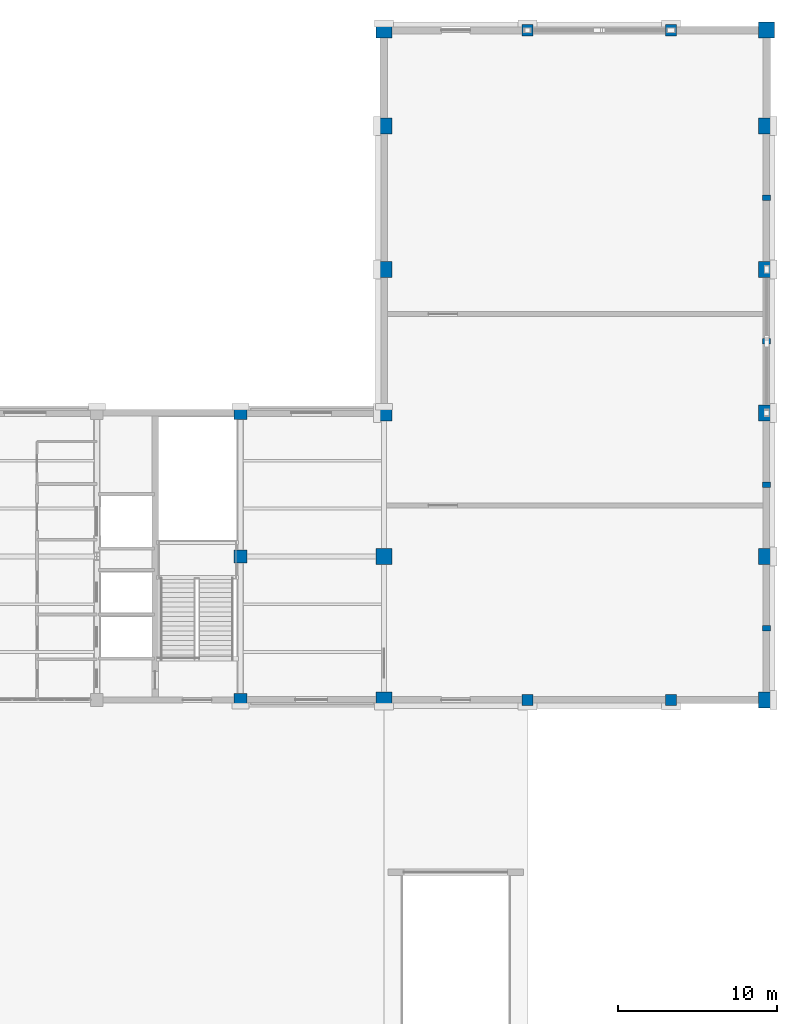
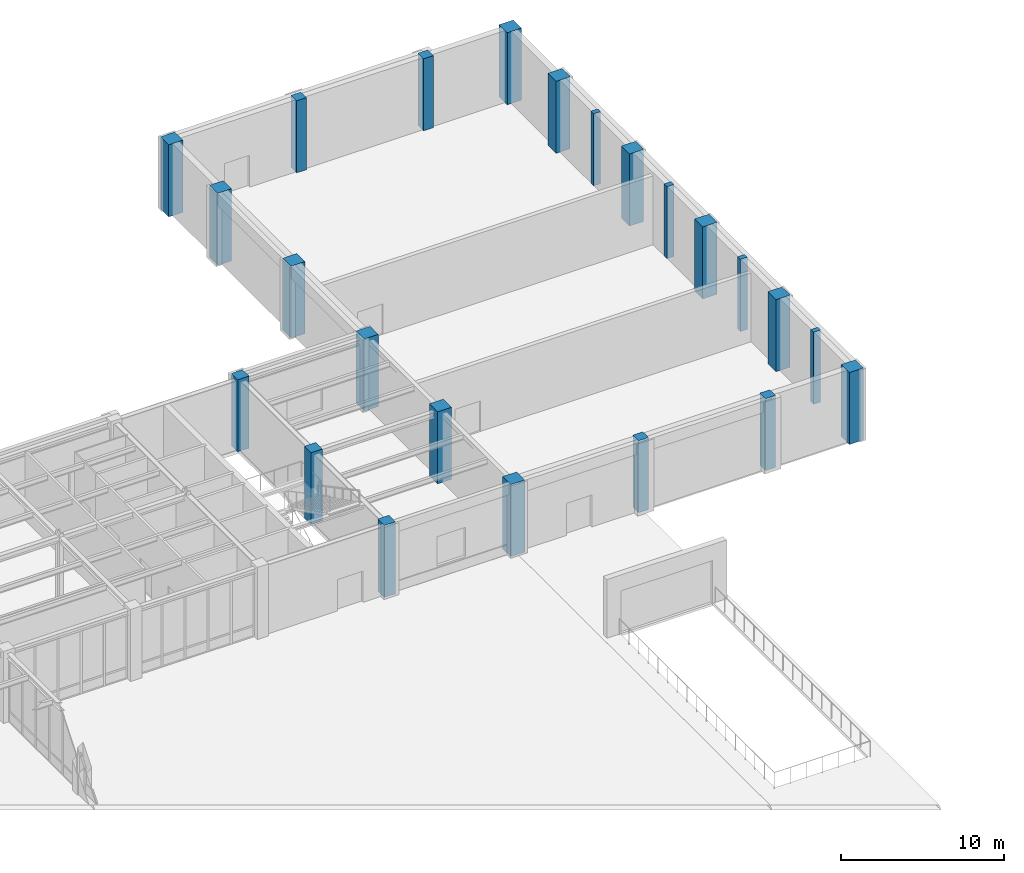
# One storey, part 14 of 77: 23 columns.
"""IFC4 building model written with IfcOpenShell, lengths in metres."""

from ifc_helpers import new_model, si_unit, direction, frame, origin, origin_2d, place, context, subcontext, project, spatial, rectangle, extrude, material, material_profile, profile_set, type_object, element, save


model = new_model("IFC4")

# Units and contexts
model_context = context("Model", 3, precision=1e-05, world=origin(), true_north=direction((0.0, 1.0)))
body_context = subcontext(model_context, "Body", "Model", "MODEL_VIEW")
ifc_project = project(units=[si_unit("LENGTHUNIT", "METRE"), si_unit("AREAUNIT", "SQUARE_METRE"), si_unit("VOLUMEUNIT", "CUBIC_METRE"), si_unit("PLANEANGLEUNIT", "RADIAN"), si_unit("MASSUNIT", "GRAM", prefix="KILO")], contexts=[model_context])

# Site, building, storey
site_placement = place(None, origin())
site = spatial("IfcSite", under=ifc_project, at=site_placement, CompositionType="ELEMENT")
building_placement = place(site_placement, origin())
building = spatial("IfcBuilding", under=site, at=building_placement, Name="Lykobir Media Centre", CompositionType="ELEMENT")
storey_placement = place(building_placement, origin())
storey = spatial("IfcBuildingStorey", under=building, at=storey_placement, Name="L00", CompositionType="ELEMENT", Elevation=0.0)

# Columns
ifc_material_1 = material(Name="Honed Travertine Stone", Category="masonry")
ifc_material_profile_1 = material_profile(ifc_material_1, rectangle(XDim=0.35009765625, YDim=0.5, at=origin_2d()), Name="RC PILASTER 500x350")
ifc_profile_set_1 = profile_set([ifc_material_profile_1], Name="Honed Travertine Stone")
column_type_1 = type_object("IfcColumnType", Name="PIL-500", PredefinedType="PILASTER", material=ifc_profile_set_1)
for number, where, z_axis, x_axis, name in (
    (1, (168.0, 76.5, 0.0), (0.0, 0.0, 1.0), (0.0, 1.0, 0.0), "V2 east pilaster L00 76.5"),
    (2, (168.0, 85.5, 0.0), (0.0, 0.0, 1.0), (0.0, 1.0, 0.0), "V2 east pilaster L00 85.5"),
    (3, (168.0, 94.5, 0.0), (0.0, 0.0, 1.0), (0.0, 1.0, 0.0), "V2 east pilaster L00 94.5"),
    (4, (168.0, 103.5, 0.0), (0.0, 0.0, 1.0), (0.0, 1.0, 0.0), "V2 east pilaster L00 103.5"),
):
    element("IfcColumn", number, at=place(storey_placement, frame(where, z_axis=z_axis, x_axis=x_axis)), inside=storey, type_object=column_type_1, Name=name, PredefinedType="PILASTER", context=body_context, shape_type="SweptSolid", body=[
        extrude(rectangle(XDim=0.35009765625, YDim=0.5, at=origin_2d()), origin(), (0.0, 0.0, 1.0), 5.39990234375),
    ])
ifc_material_2 = material(Name="Concrete C40/50", Category="concrete")
ifc_material_profile_2 = material_profile(ifc_material_2, rectangle(XDim=1.0, YDim=1.0, at=origin_2d()), Name="RC 1000x1000")
ifc_profile_set_2 = profile_set([ifc_material_profile_2], Name="Concrete C40/50")
column_type_2 = type_object("IfcColumnType", Name="RC-C1000", PredefinedType="COLUMN", material=ifc_profile_set_2)
for number, where, z_axis, x_axis, name in (
    (5, (144.0, 72.0, 0.0), (0.0, 0.0, 1.0), (1.0, 0.0, 0.0), "Column COL-L00-1440-0720"),
    (6, (144.0, 81.0, 0.0), (0.0, 0.0, 1.0), (1.0, 0.0, 0.0), "Column COL-L00-1440-0810"),
    (7, (144.0, 90.0, 0.0), (0.0, 0.0, 1.0), (1.0, 0.0, 0.0), "Column COL-L00-1440-0900"),
    (8, (144.0, 99.0, 0.0), (0.0, 0.0, 1.0), (1.0, 0.0, 0.0), "Column COL-L00-1440-0990"),
    (9, (144.0, 108.0, 0.0), (0.0, 0.0, 1.0), (1.0, 0.0, 0.0), "Column COL-L00-1440-1080"),
):
    element("IfcColumn", number, at=place(storey_placement, frame(where, z_axis=z_axis, x_axis=x_axis)), inside=storey, type_object=column_type_2, Name=name, PredefinedType="COLUMN", context=body_context, shape_type="SweptSolid", body=[
        extrude(rectangle(XDim=1.0, YDim=1.0, at=origin_2d()), origin(), (0.0, 0.0, 1.0), 5.39990234375),
    ])
ifc_material_profile_3 = material_profile(ifc_material_2, rectangle(XDim=1.0, YDim=1.0, at=origin_2d()), Name="RC 1000x1000")
ifc_profile_set_3 = profile_set([ifc_material_profile_3], Name="Concrete C40/50")
column_type_3 = type_object("IfcColumnType", Name="RC-C1000-E", PredefinedType="COLUMN", material=ifc_profile_set_3)
for number, where, z_axis, x_axis, name in (
    (10, (144.0, 114.0, 0.0), (0.0, 0.0, 1.0), (1.0, 0.0, 0.0), "Column COL-L00-1440-1140"),
    (11, (168.0, 72.0, 0.0), (0.0, 0.0, 1.0), (1.0, 0.0, 0.0), "Column COL-L00-1680-0720"),
    (12, (168.0, 81.0, 0.0), (0.0, 0.0, 1.0), (1.0, 0.0, 0.0), "Column COL-L00-1680-0810"),
    (13, (168.0, 90.0, 0.0), (0.0, 0.0, 1.0), (1.0, 0.0, 0.0), "Column COL-L00-1680-0900"),
    (14, (168.0, 99.0, 0.0), (0.0, 0.0, 1.0), (1.0, 0.0, 0.0), "Column COL-L00-1680-0990"),
    (15, (168.0, 108.0, 0.0), (0.0, 0.0, 1.0), (1.0, 0.0, 0.0), "Column COL-L00-1680-1080"),
    (16, (168.0, 114.0, 0.0), (0.0, 0.0, 1.0), (1.0, 0.0, 0.0), "Column COL-L00-1680-1140"),
):
    element("IfcColumn", number, at=place(storey_placement, frame(where, z_axis=z_axis, x_axis=x_axis)), inside=storey, type_object=column_type_3, Name=name, PredefinedType="COLUMN", context=body_context, shape_type="SweptSolid", body=[
        extrude(rectangle(XDim=1.0, YDim=1.0, at=origin_2d()), origin(), (0.0, 0.0, 1.0), 5.39990234375),
    ])
ifc_material_profile_4 = material_profile(ifc_material_2, rectangle(XDim=0.699951171875, YDim=0.699951171875, at=origin_2d()), Name="RC 700x700")
ifc_profile_set_4 = profile_set([ifc_material_profile_4], Name="Concrete C40/50")
column_type_4 = type_object("IfcColumnType", Name="RC-C700", PredefinedType="COLUMN", material=ifc_profile_set_4)
for number, where, z_axis, x_axis, name in (
    (17, (153.0, 72.0, 0.0), (0.0, 0.0, 1.0), (1.0, 0.0, 0.0), "Column COL-L00-1530-0720"),
    (18, (162.0, 72.0, 0.0), (0.0, 0.0, 1.0), (1.0, 0.0, 0.0), "Column COL-L00-1620-0720"),
):
    element("IfcColumn", number, at=place(storey_placement, frame(where, z_axis=z_axis, x_axis=x_axis)), inside=storey, type_object=column_type_4, Name=name, PredefinedType="COLUMN", context=body_context, shape_type="SweptSolid", body=[
        extrude(rectangle(XDim=0.699951171875, YDim=0.699951171875, at=origin_2d()), origin(), (0.0, 0.0, 1.0), 5.39990234375),
    ])
ifc_material_profile_5 = material_profile(ifc_material_2, rectangle(XDim=0.699951171875, YDim=0.699951171875, at=origin_2d()), Name="RC 700x700")
ifc_profile_set_5 = profile_set([ifc_material_profile_5], Name="Concrete C40/50")
column_type_5 = type_object("IfcColumnType", Name="RC-C700-E", PredefinedType="COLUMN", material=ifc_profile_set_5)
for number, where, z_axis, x_axis, name in (
    (19, (153.0, 114.0, 0.0), (0.0, 0.0, 1.0), (1.0, 0.0, 0.0), "Column COL-L00-1530-1140"),
    (20, (162.0, 114.0, 0.0), (0.0, 0.0, 1.0), (1.0, 0.0, 0.0), "Column COL-L00-1620-1140"),
):
    element("IfcColumn", number, at=place(storey_placement, frame(where, z_axis=z_axis, x_axis=x_axis)), inside=storey, type_object=column_type_5, Name=name, PredefinedType="COLUMN", context=body_context, shape_type="SweptSolid", body=[
        extrude(rectangle(XDim=0.699951171875, YDim=0.699951171875, at=origin_2d()), origin(), (0.0, 0.0, 1.0), 5.39990234375),
    ])
ifc_material_profile_6 = material_profile(ifc_material_2, rectangle(XDim=0.800048828125, YDim=0.800048828125, at=origin_2d()), Name="RC 800x800")
ifc_profile_set_6 = profile_set([ifc_material_profile_6], Name="Concrete C40/50")
column_type_6 = type_object("IfcColumnType", Name="RC-C800", PredefinedType="COLUMN", material=ifc_profile_set_6)
for number, where, z_axis, x_axis, name in (
    (21, (135.0, 72.0, 0.0), (0.0, 0.0, 1.0), (1.0, 0.0, 0.0), "Column COL-L00-1350-0720"),
    (22, (135.0, 81.0, 0.0), (0.0, 0.0, 1.0), (1.0, 0.0, 0.0), "Column COL-L00-1350-0810"),
    (23, (135.0, 90.0, 0.0), (0.0, 0.0, 1.0), (1.0, 0.0, 0.0), "Column COL-L00-1350-0900"),
):
    element("IfcColumn", number, at=place(storey_placement, frame(where, z_axis=z_axis, x_axis=x_axis)), inside=storey, type_object=column_type_6, Name=name, PredefinedType="COLUMN", context=body_context, shape_type="SweptSolid", body=[
        extrude(rectangle(XDim=0.800048828125, YDim=0.800048828125, at=origin_2d()), origin(), (0.0, 0.0, 1.0), 5.39990234375),
    ])

save(model, "model.ifc")
